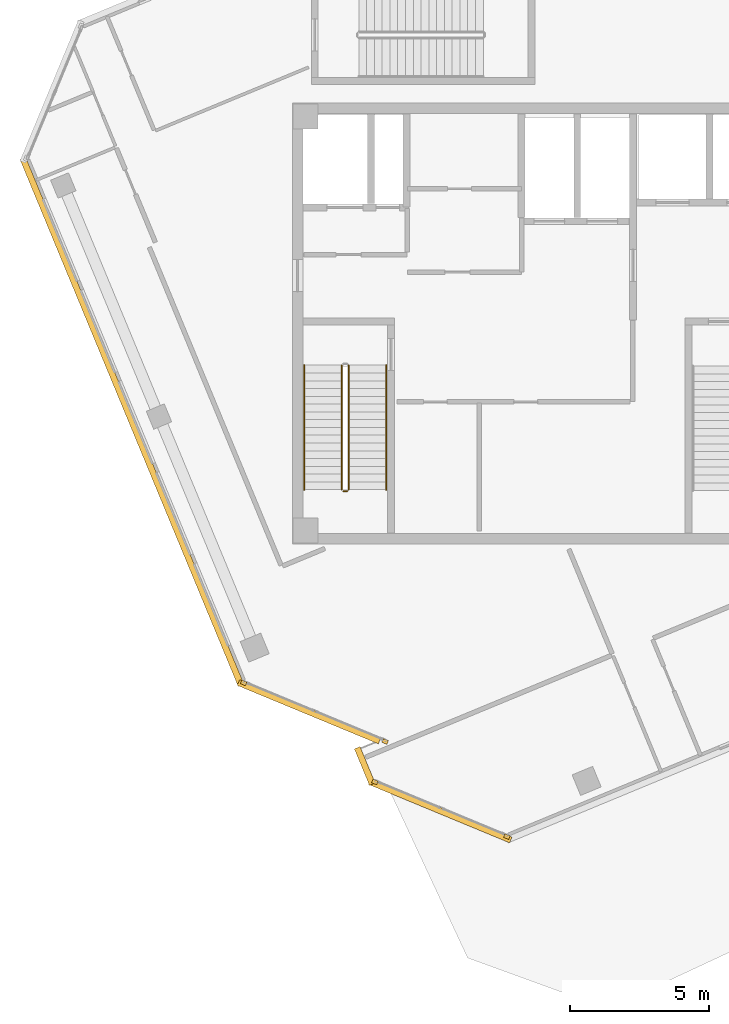
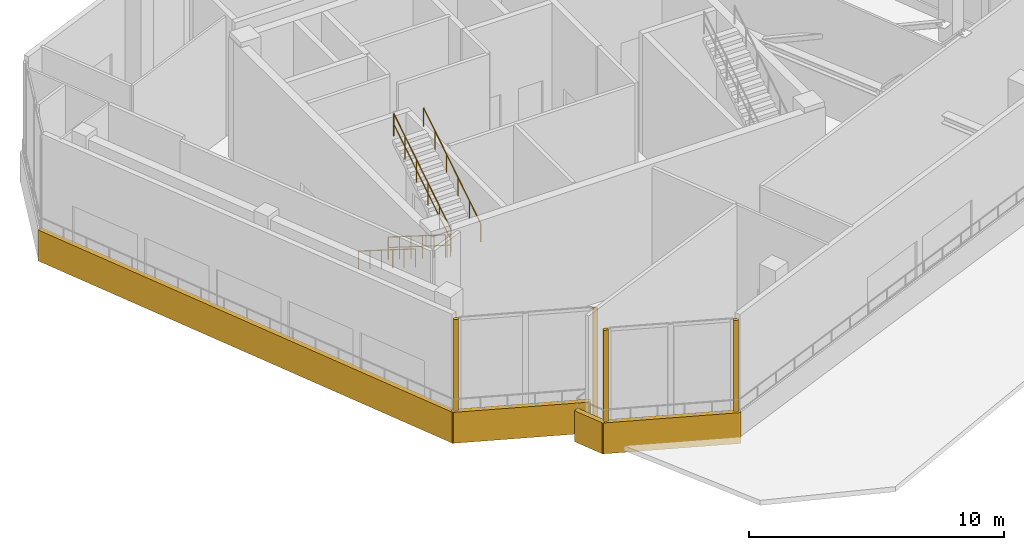
# One storey, part 11 of 16: 8 coverings, 5 railings.
"""IFC4 building model written with IfcOpenShell, lengths in metres."""

from ifc_helpers import new_model, si_unit, direction, frame, origin, origin_2d, place, context, subcontext, project, spatial, rectangle, circle, extrude, source, transform, mapped, material, layer, layer_set, type_object, element, save


model = new_model("IFC4")

# Units and contexts
model_context = context("Model", 3, precision=1e-05, world=origin(), true_north=direction((0.0, 1.0)))
body_context = subcontext(model_context, "Body", "Model", "MODEL_VIEW")
ifc_project = project(units=[si_unit("LENGTHUNIT", "METRE"), si_unit("AREAUNIT", "SQUARE_METRE"), si_unit("VOLUMEUNIT", "CUBIC_METRE"), si_unit("PLANEANGLEUNIT", "RADIAN"), si_unit("MASSUNIT", "GRAM", prefix="KILO")], contexts=[model_context])

# Site, building, storey
site_placement = place(None, origin())
site = spatial("IfcSite", under=ifc_project, at=site_placement, CompositionType="ELEMENT")
building_placement = place(site_placement, origin())
building = spatial("IfcBuilding", under=site, at=building_placement, Name="Torre Montelarca", CompositionType="ELEMENT")
storey_placement = place(building_placement, frame((0.0, 0.0, 349.199951171875)))
storey = spatial("IfcBuildingStorey", under=building, at=storey_placement, Name="L79", CompositionType="ELEMENT", Elevation=349.199951171875)

# Railings
ifc_material_1 = material(Name="Powder-coated steel ASTM A500 Grade C", Category="steel")
railing_type_1 = type_object("IfcRailingType", Name="RL-GUARD-1100", PredefinedType="BALUSTRADE", material=ifc_material_1)
railing_1_placement = place(storey_placement, frame((10.85009765625, 30.5, 0.176513671875)))
element("IfcRailing", 1, at=railing_1_placement, inside=storey, type_object=railing_type_1, Name="L79 ST1 stair guard 1", PredefinedType="BALUSTRADE", context=body_context, shape_type="SweptSolid", body=[
    extrude(circle(Radius=0.02392578125, at=origin_2d()), frame((0.0, 0.0, 1.076171875), z_axis=(0.0, -0.845997938375, 0.533186166611), x_axis=(1.0, 0.0, 0.0)), (0.0, 0.0, 1.0), 5.29541015625),
    extrude(circle(Radius=0.02099609375, at=origin_2d()), frame((0.0, 0.0, 0.572021484375), z_axis=(0.0, -0.845997938375, 0.533186166611), x_axis=(1.0, 0.0, 0.0)), (0.0, 0.0, 1.0), 5.29541015625),
    extrude(circle(Radius=0.02099609375, at=origin_2d()), origin(), (0.0, 0.0, 1.0), 1.052001953125),
    extrude(circle(Radius=0.02099609375, at=origin_2d()), frame((0.0, -0.89599609375, 0.564697265625)), (0.0, 0.0, 1.0), 1.052001953125),
    extrude(circle(Radius=0.02099609375, at=origin_2d()), frame((0.0, -1.7919921875, 1.12939453125)), (0.0, 0.0, 1.0), 1.052001953125),
    extrude(circle(Radius=0.02099609375, at=origin_2d()), frame((0.0, -2.68798828125, 1.694091796875)), (0.0, 0.0, 1.0), 1.052001953125),
    extrude(circle(Radius=0.02099609375, at=origin_2d()), frame((0.0, -3.583984375, 2.2587890625)), (0.0, 0.0, 1.0), 1.052001953125),
    extrude(circle(Radius=0.02099609375, at=origin_2d()), frame((0.0, -4.47998046875, 2.823486328125)), (0.0, 0.0, 1.0), 1.052001953125),
])
railing_2_placement = place(storey_placement, frame((10.89990234375, 25.969970703125, 3.0)))
element("IfcRailing", 2, at=railing_2_placement, inside=storey, type_object=railing_type_1, Name="L79 ST1 stair guard 2", PredefinedType="BALUSTRADE", context=body_context, shape_type="SweptSolid", body=[
    extrude(circle(Radius=0.02392578125, at=origin_2d()), frame((0.0, 0.0, 1.076171875), z_axis=(1.0, 0.0, 0.0), x_axis=(0.0, 1.0, 0.0)), (0.0, 0.0, 1.0), 0.150146484375),
    extrude(circle(Radius=0.02099609375, at=origin_2d()), frame((0.0, 0.0, 0.572021484375), z_axis=(1.0, 0.0, 0.0), x_axis=(0.0, 1.0, 0.0)), (0.0, 0.0, 1.0), 0.150146484375),
    extrude(circle(Radius=0.02099609375, at=origin_2d()), origin(), (0.0, 0.0, 1.0), 1.052001953125),
    extrude(circle(Radius=0.02099609375, at=origin_2d()), frame((0.150146484375, 0.0, 0.0)), (0.0, 0.0, 1.0), 1.052001953125),
])
railing_3_placement = place(storey_placement, frame((11.10009765625, 26.02001953125, 3.176513671875)))
element("IfcRailing", 3, at=railing_3_placement, inside=storey, type_object=railing_type_1, Name="L79 ST1 stair guard 3", PredefinedType="BALUSTRADE", context=body_context, shape_type="SweptSolid", body=[
    extrude(circle(Radius=0.02392578125, at=origin_2d()), frame((0.0, 0.0, 1.076171875), z_axis=(0.0, 0.845997938375, 0.533186166611), x_axis=(-1.0, 0.0, 0.0)), (0.0, 0.0, 1.0), 5.29541015625),
    extrude(circle(Radius=0.02099609375, at=origin_2d()), frame((0.0, 0.0, 0.572021484375), z_axis=(0.0, 0.845997938375, 0.533186166611), x_axis=(-1.0, 0.0, 0.0)), (0.0, 0.0, 1.0), 5.29541015625),
    extrude(circle(Radius=0.02099609375, at=origin_2d()), origin(), (0.0, 0.0, 1.0), 1.052001953125),
    extrude(circle(Radius=0.02099609375, at=origin_2d()), frame((0.0, 0.89599609375, 0.564697265625)), (0.0, 0.0, 1.0), 1.052001953125),
    extrude(circle(Radius=0.02099609375, at=origin_2d()), frame((0.0, 1.7919921875, 1.12939453125)), (0.0, 0.0, 1.0), 1.052001953125),
    extrude(circle(Radius=0.02099609375, at=origin_2d()), frame((0.0, 2.68798828125, 1.694091796875)), (0.0, 0.0, 1.0), 1.052001953125),
    extrude(circle(Radius=0.02099609375, at=origin_2d()), frame((0.0, 3.583984375, 2.2587890625)), (0.0, 0.0, 1.0), 1.052001953125),
    extrude(circle(Radius=0.02099609375, at=origin_2d()), frame((0.0, 4.47998046875, 2.823486328125)), (0.0, 0.0, 1.0), 1.052001953125),
])
ifc_material_2 = material(Name="Brushed stainless steel AISI 316", Category="steel")
railing_type_2 = type_object("IfcRailingType", Name="RL-HANDRAIL-900", PredefinedType="HANDRAIL", material=ifc_material_2)
railing_4_placement = place(storey_placement, frame((9.5, 30.5, 0.176513671875)))
element("IfcRailing", 4, at=railing_4_placement, inside=storey, type_object=railing_type_2, Name="L79 ST1 stair handrail 1", PredefinedType="HANDRAIL", context=body_context, shape_type="SweptSolid", body=[
    extrude(circle(Radius=0.02392578125, at=origin_2d()), frame((0.0, 0.0, 0.8759765625), z_axis=(0.0, -0.845997938375, 0.533186166611), x_axis=(1.0, 0.0, 0.0)), (0.0, 0.0, 1.0), 5.29541015625),
    extrude(circle(Radius=0.02099609375, at=origin_2d()), origin(), (0.0, 0.0, 1.0), 0.851806640625),
    extrude(circle(Radius=0.02099609375, at=origin_2d()), frame((0.0, -0.89599609375, 0.564697265625)), (0.0, 0.0, 1.0), 0.851806640625),
    extrude(circle(Radius=0.02099609375, at=origin_2d()), frame((0.0, -1.7919921875, 1.12939453125)), (0.0, 0.0, 1.0), 0.851806640625),
    extrude(circle(Radius=0.02099609375, at=origin_2d()), frame((0.0, -2.68798828125, 1.694091796875)), (0.0, 0.0, 1.0), 0.851806640625),
    extrude(circle(Radius=0.02099609375, at=origin_2d()), frame((0.0, -3.583984375, 2.2587890625)), (0.0, 0.0, 1.0), 0.851806640625),
    extrude(circle(Radius=0.02099609375, at=origin_2d()), frame((0.0, -4.47998046875, 2.823486328125)), (0.0, 0.0, 1.0), 0.851806640625),
])
railing_5_placement = place(storey_placement, frame((12.449951171875, 26.02001953125, 3.176513671875)))
element("IfcRailing", 5, at=railing_5_placement, inside=storey, type_object=railing_type_2, Name="L79 ST1 stair handrail 2", PredefinedType="HANDRAIL", context=body_context, shape_type="SweptSolid", body=[
    extrude(circle(Radius=0.02392578125, at=origin_2d()), frame((0.0, 0.0, 0.8759765625), z_axis=(0.0, 0.845997938375, 0.533186166611), x_axis=(-1.0, 0.0, 0.0)), (0.0, 0.0, 1.0), 5.29541015625),
    extrude(circle(Radius=0.02099609375, at=origin_2d()), origin(), (0.0, 0.0, 1.0), 0.851806640625),
    extrude(circle(Radius=0.02099609375, at=origin_2d()), frame((0.0, 0.89599609375, 0.564697265625)), (0.0, 0.0, 1.0), 0.851806640625),
    extrude(circle(Radius=0.02099609375, at=origin_2d()), frame((0.0, 1.7919921875, 1.12939453125)), (0.0, 0.0, 1.0), 0.851806640625),
    extrude(circle(Radius=0.02099609375, at=origin_2d()), frame((0.0, 2.68798828125, 1.694091796875)), (0.0, 0.0, 1.0), 0.851806640625),
    extrude(circle(Radius=0.02099609375, at=origin_2d()), frame((0.0, 3.583984375, 2.2587890625)), (0.0, 0.0, 1.0), 0.851806640625),
    extrude(circle(Radius=0.02099609375, at=origin_2d()), frame((0.0, 4.47998046875, 2.823486328125)), (0.0, 0.0, 1.0), 0.851806640625),
])

# Coverings
ifc_material_3 = material(Name="Bush-hammered warm white precast concrete C45/55", Category="concrete")
ifc_layer = layer(ifc_material_3, 0.139892578125, Name="Bush-hammered warm white precast concrete C45/55", Category="concrete")
ifc_layer_set = layer_set([ifc_layer], Name="Bush-hammered warm white precast concrete C45/55")
covering_type = type_object("IfcCoveringType", Name="COV-TRAY-CLAD", PredefinedType="CLADDING", material=ifc_layer_set)
shared_shape_1 = source(origin(), body_context, "Body", "SweptSolid", [
    extrude(rectangle(XDim=0.199951171875, YDim=0.139892578125, at=origin_2d()), origin(), (0.0, 0.0, 1.0), 5.52001953125),
])
for number, where, z_axis, x_axis, name in (
    (6, (7.314208984375, 19.068603515625, 0.0), (0.0, 0.0, 1.0), (0.923884207802, -0.382672145019, 0.0), "L79 Architectural Column Pier Cladding E02-1"),
    (7, (12.40478515625, 16.960205078125, 0.0), (0.0, 0.0, 1.0), (0.923884207802, -0.382672145019, 0.0), "L79 Architectural Column Pier Cladding E02-2"),
    (8, (12.03759765625, 15.5048828125, 0.0), (0.0, 0.0, 1.0), (0.923880868323, -0.382680207415, 0.0), "L79 Architectural Column Pier Cladding E05-1"),
    (9, (16.78857421875, 13.537109375, 0.0), (0.0, 0.0, 1.0), (0.923880868323, -0.382680207415, 0.0), "L79 Architectural Column Pier Cladding E05-2"),
):
    element("IfcCovering", number, at=place(storey_placement, frame(where, z_axis=z_axis, x_axis=x_axis)), inside=storey, type_object=covering_type, Name=name, PredefinedType="CLADDING", context=body_context, shape_type="MappedRepresentation", body=[
        mapped(shared_shape_1, transform((0.0, 0.0, 0.0), scale=1.0)),
    ])
shared_shape_2 = source(origin(), body_context, "Body", "SweptSolid", [
    extrude(rectangle(XDim=20.52001953125, YDim=0.219970703125, at=origin_2d()), origin(), (0.0, 0.0, 1.0), 1.47998046875),
])
covering_1_placement = place(storey_placement, frame((3.297119140625, 28.465087890625, -0.31982421875), z_axis=(0.0, 0.0, 1.0), x_axis=(0.382680207415, -0.923880868323, 0.0)))
element("IfcCovering", 10, at=covering_1_placement, inside=storey, type_object=covering_type, Name="L79 Architectural White Spandrel Tray Band DMPRNG-01", PredefinedType="CLADDING", context=body_context, shape_type="MappedRepresentation", body=[
    mapped(shared_shape_2, transform((0.0, 0.0, 0.0), scale=1.0)),
])
shared_shape_3 = source(origin(), body_context, "Body", "SweptSolid", [
    extrude(rectangle(XDim=5.494140625, YDim=0.219970703125, at=origin_2d()), origin(), (0.0, 0.0, 1.0), 1.47998046875),
])
covering_2_placement = place(storey_placement, frame((9.666748046875, 18.029296875, -0.31982421875), z_axis=(0.0, 0.0, 1.0), x_axis=(0.923884207802, -0.382672145019, 0.0)))
element("IfcCovering", 11, at=covering_2_placement, inside=storey, type_object=covering_type, Name="L79 Architectural White Spandrel Tray Band DMPRNG-02", PredefinedType="CLADDING", context=body_context, shape_type="MappedRepresentation", body=[
    mapped(shared_shape_3, transform((0.0, 0.0, 0.0), scale=1.0)),
])
shared_shape_4 = source(origin(), body_context, "Body", "SweptSolid", [
    extrude(rectangle(XDim=1.420166015625, YDim=0.219970703125, at=origin_2d()), origin(), (0.0, 0.0, 1.0), 1.47998046875),
])
covering_3_placement = place(storey_placement, frame((11.67529296875, 16.078125, -0.31982421875), z_axis=(0.0, 0.0, 1.0), x_axis=(0.382675369981, -0.923882872019, 0.0)))
element("IfcCovering", 12, at=covering_3_placement, inside=storey, type_object=covering_type, Name="L79 Architectural White Spandrel Tray Band DMPRNG-04", PredefinedType="CLADDING", context=body_context, shape_type="MappedRepresentation", body=[
    mapped(shared_shape_4, transform((0.0, 0.0, 0.0), scale=1.0)),
])
shared_shape_5 = source(origin(), body_context, "Body", "SweptSolid", [
    extrude(rectangle(XDim=5.493896484375, YDim=0.219970703125, at=origin_2d()), origin(), (0.0, 0.0, 1.0), 1.47998046875),
])
covering_4_placement = place(storey_placement, frame((14.39013671875, 14.4658203125, -0.31982421875), z_axis=(0.0, 0.0, 1.0), x_axis=(0.923881536224, -0.382678594938, 0.0)))
element("IfcCovering", 13, at=covering_4_placement, inside=storey, type_object=covering_type, Name="L79 Architectural White Spandrel Tray Band DMPRNG-05", PredefinedType="CLADDING", context=body_context, shape_type="MappedRepresentation", body=[
    mapped(shared_shape_5, transform((0.0, 0.0, 0.0), scale=1.0)),
])

save(model, "model.ifc")
